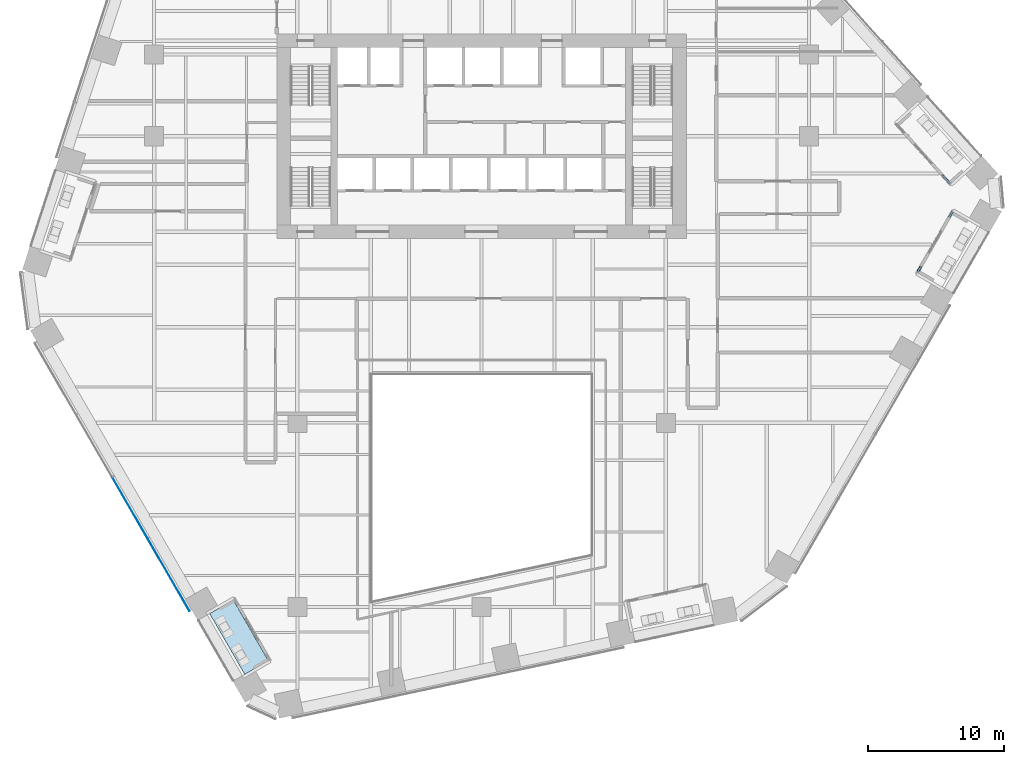
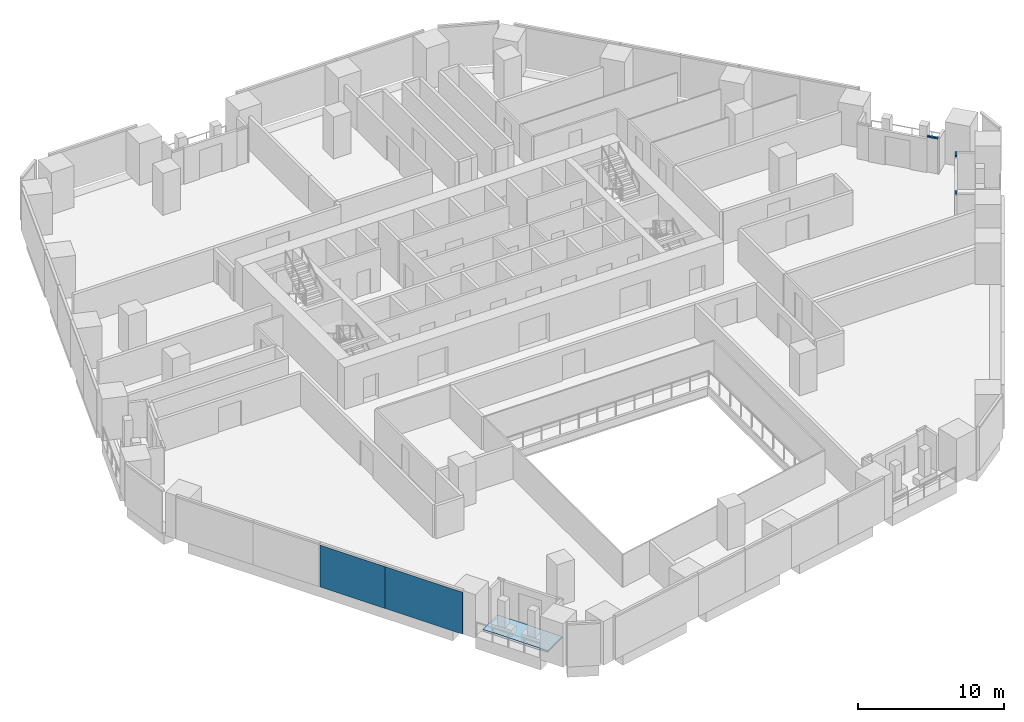
# One storey, part 16 of 31: 3 members, 2 plates, 1 slab, 3 elements without a shape of their own.
"""IFC4 building model written with IfcOpenShell, lengths in metres."""

from ifc_helpers import new_model, si_unit, direction, frame, origin, origin_2d, place, context, subcontext, project, spatial, polyline, rectangle, outline, extrude, material, layer, layer_set, material_profile, profile_set, type_object, element, aggregate, save


model = new_model("IFC4")

# Units and contexts
model_context = context("Model", 3, precision=1e-05, world=origin(), true_north=direction((0.0, 1.0)))
body_context = subcontext(model_context, "Body", "Model", "MODEL_VIEW")
ifc_project = project(units=[si_unit("LENGTHUNIT", "METRE"), si_unit("AREAUNIT", "SQUARE_METRE"), si_unit("VOLUMEUNIT", "CUBIC_METRE"), si_unit("PLANEANGLEUNIT", "RADIAN"), si_unit("MASSUNIT", "GRAM", prefix="KILO")], contexts=[model_context])

# Site, building, storey
site_placement = place(None, origin())
site = spatial("IfcSite", under=ifc_project, at=site_placement, CompositionType="ELEMENT")
building_placement = place(site_placement, origin())
building = spatial("IfcBuilding", under=site, at=building_placement, Name="Isthmus Gate Tower", CompositionType="ELEMENT")
storey_placement = place(building_placement, frame((0.0, 0.0, 54.25)))
storey = spatial("IfcBuildingStorey", under=building, at=storey_placement, Name="L11", CompositionType="ELEMENT", Elevation=54.25)

# Curtain wall, members
ifc_material_1 = material(Name="Aluminium, pale champagne anodised", Category="aluminium")
ifc_layer_1 = layer(ifc_material_1, 0.14990234375)
ifc_layer_set_1 = layer_set([ifc_layer_1], Name="CW-6 LOGGIA BACK WALL GLAZING 150 DEEP")
curtain_wall_type_1 = type_object("IfcCurtainWallType", Name="CW-6 LOGGIA BACK WALL GLAZING 150 DEEP", PredefinedType="NOTDEFINED", material=ifc_layer_set_1)
curtain_wall_1_placement = place(storey_placement, origin())
curtain_wall_1 = element("IfcCurtainWall", 1, at=curtain_wall_1_placement, inside=storey, type_object=curtain_wall_type_1, Name="CW-6 SE L11", PredefinedType="NOTDEFINED")
ifc_material_2 = material(Name="Aluminium, pale champagne anodised", Category="aluminium")
ifc_material_profile = material_profile(ifc_material_2, rectangle(XDim=0.14990234375, YDim=0.1201171875, at=origin_2d()), Name="150x120")
ifc_profile_set = profile_set([ifc_material_profile], Name="Aluminium, pale champagne anodised")
member_type = type_object("IfcMemberType", Name="CW-6 TRANSOM 150 X 120", PredefinedType="USERDEFINED", material=ifc_profile_set)
member_1_placement = place(storey_placement, frame((31.96142578125, -2.441162109375, 2.989990234375), z_axis=(0.499898558967, 0.866083962871, 0.0), x_axis=(-0.866083962871, 0.499898558967, 0.0)))
member_1 = element("IfcMember", 2, at=member_1_placement, type_object=member_type, Name="CW-6 transom", ObjectType="TRANSOM", PredefinedType="USERDEFINED", context=body_context, shape_type="SweptSolid", body=[
    extrude(rectangle(XDim=0.14990234375, YDim=0.1201171875, at=origin_2d()), origin(), (0.0, 0.0, 1.0), 0.43994140625),
])
member_2_placement = place(storey_placement, frame((34.266357421875, 1.55078125, 2.989990234375), z_axis=(0.499919672301, 0.866071776036, 0.0), x_axis=(-0.866071776036, 0.499919672301, 0.0)))
member_2 = element("IfcMember", 3, at=member_2_placement, type_object=member_type, Name="CW-6 transom", ObjectType="TRANSOM", PredefinedType="USERDEFINED", context=body_context, shape_type="SweptSolid", body=[
    extrude(rectangle(XDim=0.14990234375, YDim=0.1201171875, at=origin_2d()), origin(), (0.0, 0.0, 1.0), 0.5),
])
aggregate(curtain_wall_1, [member_1, member_2])

# Curtain wall, member
curtain_wall_2_placement = place(storey_placement, origin())
curtain_wall_2 = element("IfcCurtainWall", 4, at=curtain_wall_2_placement, inside=storey, type_object=curtain_wall_type_1, Name="CW-6 NE L11", PredefinedType="NOTDEFINED")
member_3_placement = place(storey_placement, frame((34.306396484375, 4.044189453125, 2.989990234375), z_axis=(-0.669119394637, 0.743154920404, 0.0), x_axis=(-0.743154920404, -0.669119394637, 0.0)))
member_3 = element("IfcMember", 5, at=member_3_placement, type_object=member_type, Name="CW-6 transom", ObjectType="TRANSOM", PredefinedType="USERDEFINED", context=body_context, shape_type="SweptSolid", body=[
    extrude(rectangle(XDim=0.14990234375, YDim=0.1201171875, at=origin_2d()), origin(), (0.0, 0.0, 1.0), 0.784912109375),
])
aggregate(curtain_wall_2, [member_3])

# Curtain wall, plates
ifc_material_3 = material(Name="Aluminium, pale champagne anodised", Category="aluminium")
ifc_layer_2 = layer(ifc_material_3, 0.199951171875)
ifc_layer_set_2 = layer_set([ifc_layer_2], Name="CW-1 UNITISED CURTAIN WALL 200 DEEP")
curtain_wall_type_2 = type_object("IfcCurtainWallType", Name="CW-1 UNITISED CURTAIN WALL 200 DEEP", PredefinedType="NOTDEFINED", material=ifc_layer_set_2)
curtain_wall_3_placement = place(storey_placement, origin())
curtain_wall_3 = element("IfcCurtainWall", 6, at=curtain_wall_3_placement, inside=storey, type_object=curtain_wall_type_2, Name="CW-1 SW L11", PredefinedType="NOTDEFINED")
ifc_material_4 = material(Name="Laminated low-iron glass, pale blue tint", Category="glass")
ifc_layer_3 = layer(ifc_material_4, 0.0400390625)
ifc_layer_set_3 = layer_set([ifc_layer_3], Name="CW-1 CLEAR GLASS LITE 40")
plate_type = type_object("IfcPlateType", Name="CW-1 CLEAR GLASS LITE 40", PredefinedType="CURTAIN_PANEL", material=ifc_layer_set_3)
plate_1_placement = place(storey_placement, frame((-25.7626953125, -19.73779296875, 0.0), z_axis=(0.0, 0.0, 1.0), x_axis=(0.5, -0.866025403784, 0.0)))
plate_1 = element("IfcPlate", 7, at=plate_1_placement, type_object=plate_type, Name="CW-1 glass lite", PredefinedType="CURTAIN_PANEL", context=body_context, shape_type="SweptSolid", body=[
    extrude(rectangle(XDim=5.173583984375, YDim=0.0400390625, at=origin_2d()), origin(), (0.0, 0.0, 1.0), 3.5),
])
plate_2_placement = place(storey_placement, frame((-22.935791015625, -24.634033203125, 0.0), z_axis=(0.0, 0.0, 1.0), x_axis=(0.5, -0.866025403784, 0.0)))
plate_2 = element("IfcPlate", 8, at=plate_2_placement, type_object=plate_type, Name="CW-1 glass lite", PredefinedType="CURTAIN_PANEL", context=body_context, shape_type="SweptSolid", body=[
    extrude(rectangle(XDim=6.133544921875, YDim=0.0400390625, at=origin_2d()), origin(), (0.0, 0.0, 1.0), 3.5),
])
aggregate(curtain_wall_3, [plate_1, plate_2])

# Slab
ifc_material_5 = material(Name="Concrete f'c 50 MPa", Category="concrete")
ifc_layer_4 = layer(ifc_material_5, 0.14990234375)
ifc_layer_set_4 = layer_set([ifc_layer_4], Name="LOGGIA FLOOR SLAB 150")
slab_type = type_object("IfcSlabType", Name="LOGGIA FLOOR SLAB 150", PredefinedType="FLOOR", material=ifc_layer_set_4)
slab_placement = place(storey_placement, frame((0.0, 0.0, -0.14990234375)))
element("IfcSlab", 9, at=slab_placement, inside=storey, type_object=slab_type, Name="LOGGIA FLOOR", PredefinedType="FLOOR", context=body_context, shape_type="SweptSolid", body=[
    extrude(outline(polyline([(-19.930419921875, -27.4794921875), (-17.358642578125, -31.933837890625), (-15.626708984375, -30.933837890625), (-18.198486328125, -26.4794921875), (-19.930419921875, -27.4794921875)])), origin(), (0.0, 0.0, 1.0), 0.14990234375),
])

save(model, "model.ifc")
